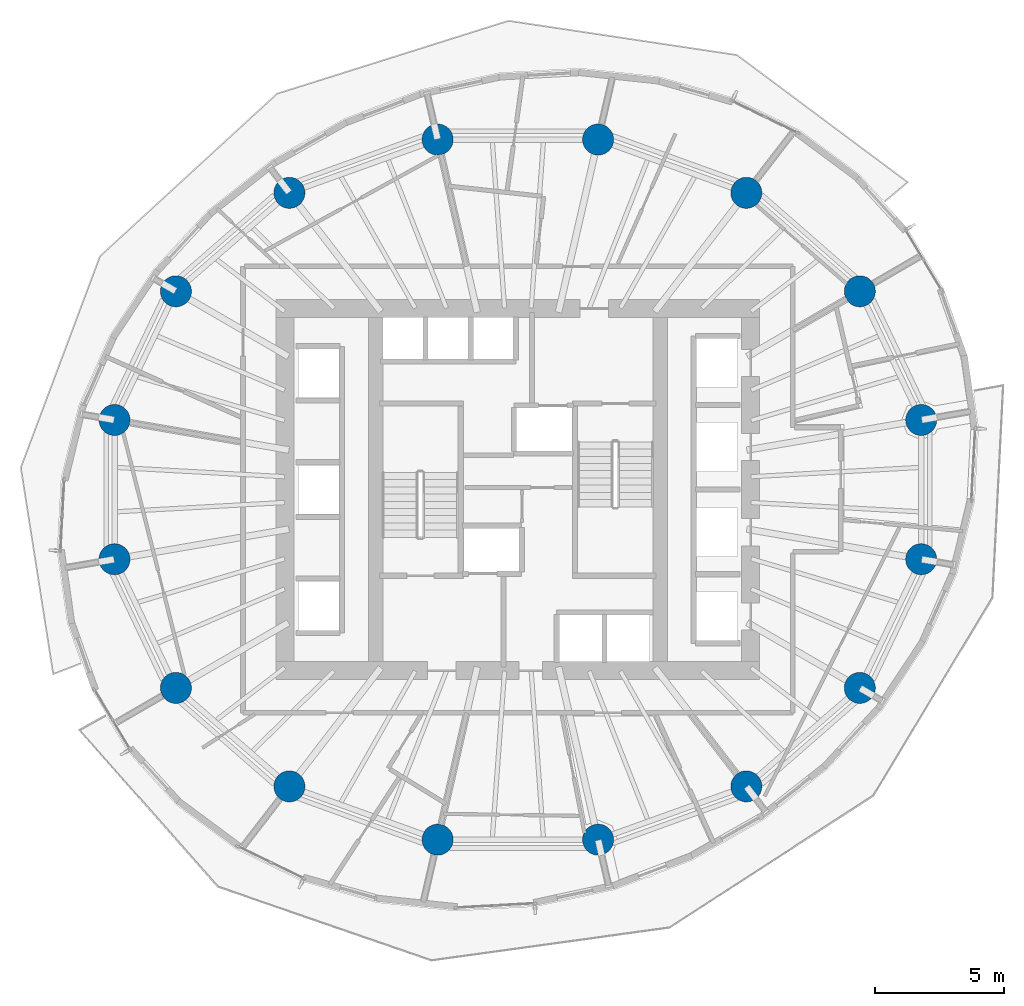
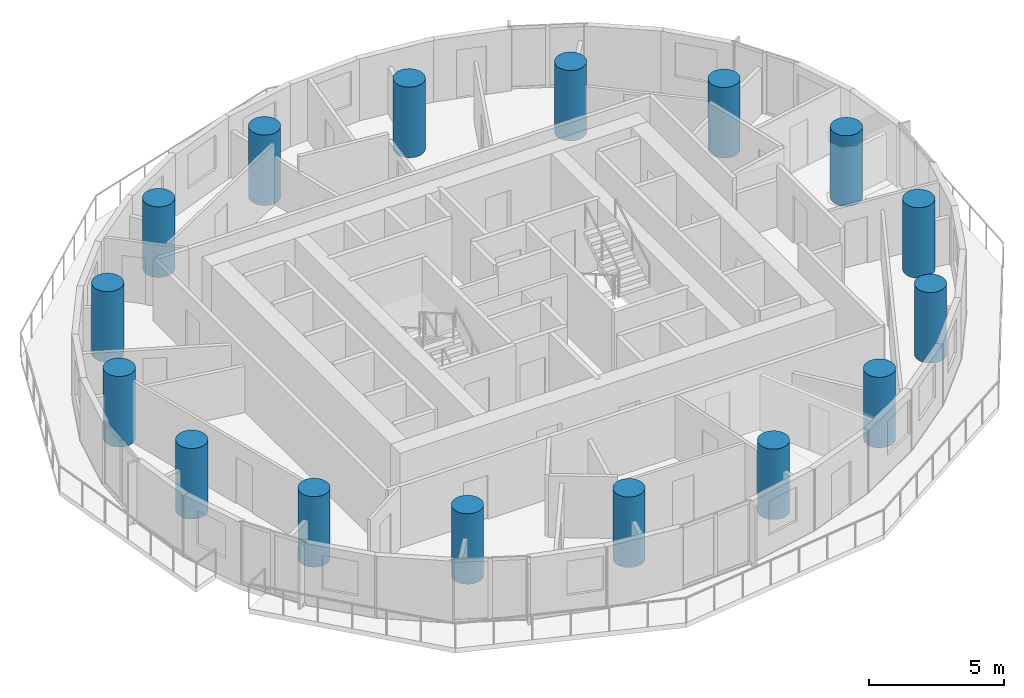
# One storey, part 1 of 15: 16 columns.
"""IFC4 building model written with IfcOpenShell, lengths in metres."""

from ifc_helpers import new_model, si_unit, direction, frame, origin, origin_2d, place, context, subcontext, project, spatial, circle, extrude, material, material_profile, profile_set, type_object, element, save


model = new_model("IFC4")

# Units and contexts
model_context = context("Model", 3, precision=1e-05, world=origin(), true_north=direction((0.0, 1.0)))
body_context = subcontext(model_context, "Body", "Model", "MODEL_VIEW")
ifc_project = project(units=[si_unit("LENGTHUNIT", "METRE"), si_unit("AREAUNIT", "SQUARE_METRE"), si_unit("VOLUMEUNIT", "CUBIC_METRE"), si_unit("PLANEANGLEUNIT", "RADIAN"), si_unit("MASSUNIT", "GRAM", prefix="KILO")], contexts=[model_context])

# Site, building, storey
site_placement = place(None, origin())
site = spatial("IfcSite", under=ifc_project, at=site_placement, CompositionType="ELEMENT")
building_placement = place(site_placement, origin())
building = spatial("IfcBuilding", under=site, at=building_placement, Name="Veldorim Arch Residences", CompositionType="ELEMENT")
storey_placement = place(building_placement, frame((0.0, 0.0, 109.280029296875)))
storey = spatial("IfcBuildingStorey", under=building, at=storey_placement, Name="L32", CompositionType="ELEMENT", Elevation=109.280029296875)

# Columns
ifc_material = material(Name="Concrete C60/75", Category="concrete")
ifc_material_profile = material_profile(ifc_material, circle(Radius=0.60009765625, at=origin_2d()), Name="RC_CIRC_1200")
ifc_profile_set = profile_set([ifc_material_profile], Name="Concrete C60/75")
column_type = type_object("IfcColumnType", Name="Structural Column RC_CIRC_1200", PredefinedType="COLUMN", material=ifc_profile_set)
for number, where, z_axis, x_axis, name in (
    (1, (47.594482421875, 26.692138671875, 0.0), (0.0, 0.0, 1.0), (1.0, 0.0, 0.0), "L32 TC-Z2-01 perimeter column"),
    (2, (45.220458984375, 31.6669921875, 0.0), (0.0, 0.0, 1.0), (1.0, 0.0, 0.0), "L32 TC-Z2-02 perimeter column"),
    (3, (40.83349609375, 35.474365234375, 0.0), (0.0, 0.0, 1.0), (1.0, 0.0, 0.0), "L32 TC-Z2-03 perimeter column"),
    (4, (35.101806640625, 37.534912109375, 0.0), (0.0, 0.0, 1.0), (1.0, 0.0, 0.0), "L32 TC-Z2-04 perimeter column"),
    (5, (28.898193359375, 37.534912109375, 0.0), (0.0, 0.0, 1.0), (1.0, 0.0, 0.0), "L32 TC-Z2-05 perimeter column"),
    (6, (23.16650390625, 35.474365234375, 0.0), (0.0, 0.0, 1.0), (1.0, 0.0, 0.0), "L32 TC-Z2-06 perimeter column"),
    (7, (18.779541015625, 31.6669921875, 0.0), (0.0, 0.0, 1.0), (1.0, 0.0, 0.0), "L32 TC-Z2-07 perimeter column"),
    (8, (16.405517578125, 26.692138671875, 0.0), (0.0, 0.0, 1.0), (1.0, 0.0, 0.0), "L32 TC-Z2-08 perimeter column"),
    (9, (16.405517578125, 21.307861328125, 0.0), (0.0, 0.0, 1.0), (1.0, 0.0, 0.0), "L32 TC-Z2-09 perimeter column"),
    (10, (18.779541015625, 16.3330078125, 0.0), (0.0, 0.0, 1.0), (1.0, 0.0, 0.0), "L32 TC-Z2-10 perimeter column"),
    (11, (23.16650390625, 12.525634765625, 0.0), (0.0, 0.0, 1.0), (1.0, 0.0, 0.0), "L32 TC-Z2-11 perimeter column"),
    (12, (28.898193359375, 10.465087890625, 0.0), (0.0, 0.0, 1.0), (1.0, 0.0, 0.0), "L32 TC-Z2-12 perimeter column"),
    (13, (35.101806640625, 10.465087890625, 0.0), (0.0, 0.0, 1.0), (1.0, 0.0, 0.0), "L32 TC-Z2-13 perimeter column"),
    (14, (40.83349609375, 12.525634765625, 0.0), (0.0, 0.0, 1.0), (1.0, 0.0, 0.0), "L32 TC-Z2-14 perimeter column"),
    (15, (45.220458984375, 16.3330078125, 0.0), (0.0, 0.0, 1.0), (1.0, 0.0, 0.0), "L32 TC-Z2-15 perimeter column"),
    (16, (47.594482421875, 21.307861328125, 0.0), (0.0, 0.0, 1.0), (1.0, 0.0, 0.0), "L32 TC-Z2-16 perimeter column"),
):
    element("IfcColumn", number, at=place(storey_placement, frame(where, z_axis=z_axis, x_axis=x_axis)), inside=storey, type_object=column_type, Name=name, PredefinedType="COLUMN", context=body_context, shape_type="SweptSolid", body=[
        extrude(circle(Radius=0.60009765625, at=origin_2d()), origin(), (0.0, 0.0, 1.0), 3.199951171875),
    ])

save(model, "model.ifc")
